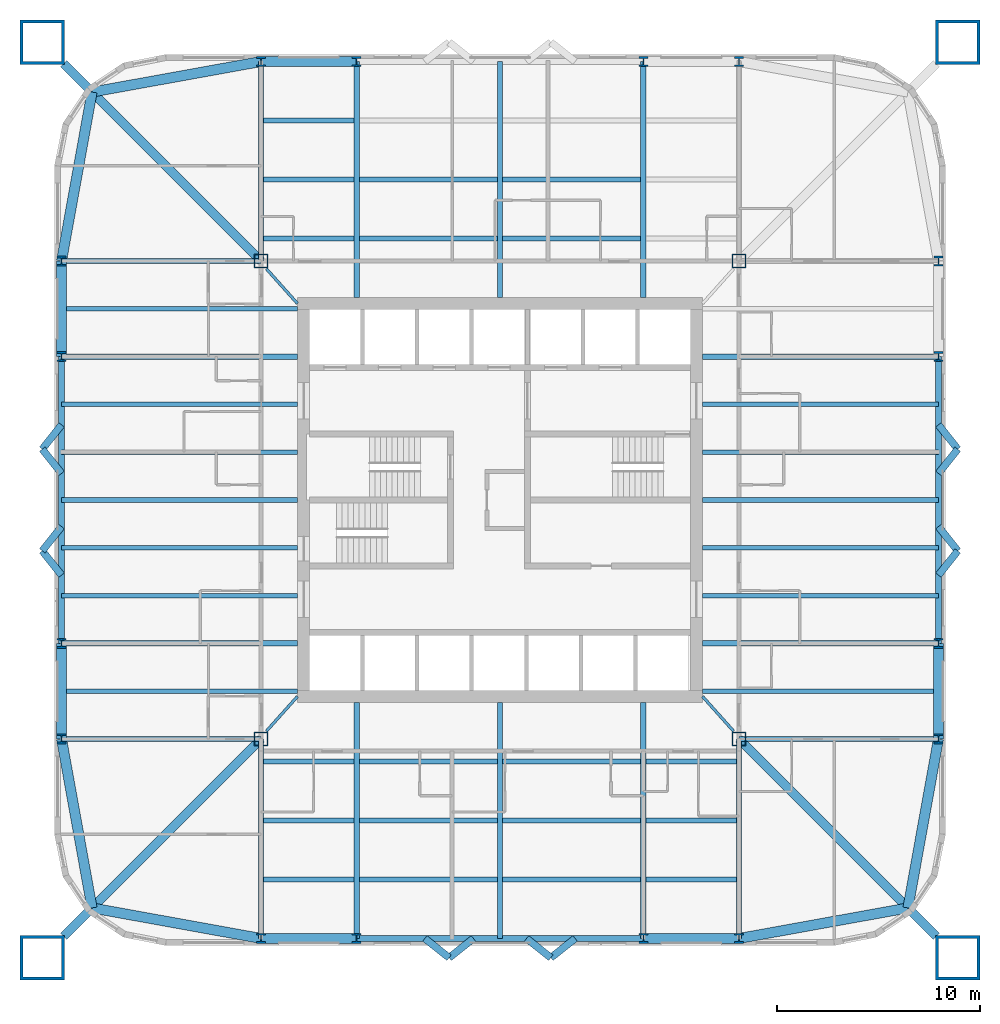
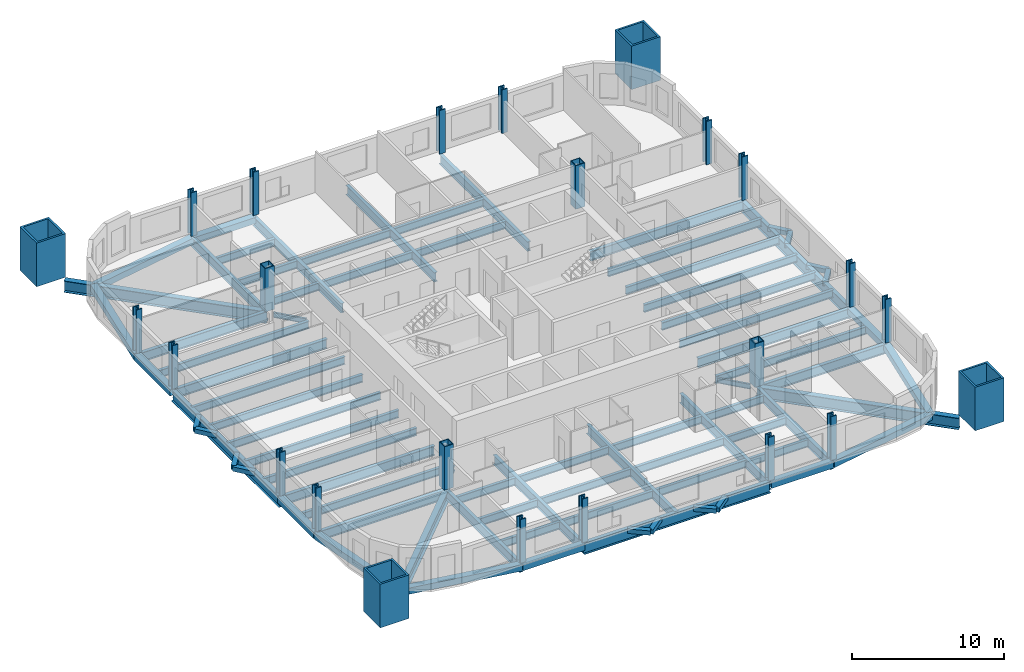
# One storey, part 1 of 10: 81 beams, 24 columns.
"""IFC4 building model written with IfcOpenShell, lengths in metres."""

import ifcopenshell
import ifcopenshell.guid

model = None  # the IFC model being written
_history = None  # IfcOwnerHistory: only IFC2X3 demands one
_inside = {}  # id of a spatial element -> (the spatial element, [elements in it])
_under = {}  # id of a project, library or spatial element -> (it, [spatial elements below it])
_declared = {}  # id of a project -> (the project, [libraries it declares])
_typed = {}  # id of a type object -> (the type object, [elements of that type])
_made_of = {}  # id of a material, layer set ... -> (it, [elements and type objects made of it])


def new_model(schema):
    """Start an empty IFC model of exactly this schema.

    Asked for "IFC4X3", IfcOpenShell would pick the latest addendum, in which some entities
    have other attributes; the version numbers below select the first issue.
    IFC2X3 requires an IfcOwnerHistory on every rooted entity: one is made here for all.
    """
    global model, _history
    if schema == "IFC4X3":
        model = ifcopenshell.file(schema_version=(4, 3, 0, 0))
    else:
        model = ifcopenshell.file(schema=schema)
    _inside.clear()
    _under.clear()
    _declared.clear()
    _typed.clear()
    _made_of.clear()
    _history = None
    if model.schema == "IFC2X3":
        org = make("IfcOrganization", Name="unknown")
        user = make(
            "IfcPersonAndOrganization",
            ThePerson=make("IfcPerson", FamilyName="unknown"),
            TheOrganization=org,
        )
        app = make(
            "IfcApplication",
            ApplicationDeveloper=org,
            Version="unknown",
            ApplicationFullName="unknown",
            ApplicationIdentifier="unknown",
        )
        _history = make(
            "IfcOwnerHistory",
            OwningUser=user,
            OwningApplication=app,
            ChangeAction="ADDED",
            CreationDate=0,
        )
    return model


def make(cls, **values):
    """One entity of the class cls with the attributes given. An attribute that is None is left unset."""
    return model.create_entity(
        cls, **{name: value for name, value in values.items() if value is not None}
    )


def rooted(cls, **values):
    """An entity with a GlobalId (a new one), such as an element, a storey or a relation."""
    return make(cls, GlobalId=ifcopenshell.guid.new(), OwnerHistory=_history, **values)


def si_unit(unit_type, name, prefix=None):
    """IfcSIUnit, for example si_unit("LENGTHUNIT", "METRE", prefix="MILLI")."""
    return make("IfcSIUnit", UnitType=unit_type, Prefix=prefix, Name=name)


def assignment(units):
    """IfcUnitAssignment: the units of a project."""
    return None if units is None else make("IfcUnitAssignment", Units=units)


def point(xyz):
    """IfcCartesianPoint."""
    return None if xyz is None else make("IfcCartesianPoint", Coordinates=xyz)


def direction(xyz):
    """IfcDirection."""
    return None if xyz is None else make("IfcDirection", DirectionRatios=xyz)


def frame(location, z_axis=None, x_axis=None):
    """IfcAxis2Placement3D, a coordinate frame: its origin and axes. An axis left out is left unset."""
    return make(
        "IfcAxis2Placement3D",
        Location=point(location),
        Axis=direction(z_axis),
        RefDirection=direction(x_axis),
    )


def frame_2d(location, x_axis=None):
    """IfcAxis2Placement2D, a coordinate frame in the plane: its origin and x axis."""
    return make(
        "IfcAxis2Placement2D", Location=point(location), RefDirection=direction(x_axis)
    )


def origin():
    """The frame at (0, 0, 0) with its axes left unset."""
    return frame((0.0, 0.0, 0.0))


def origin_2d():
    """The frame at (0, 0) in the plane with its x axis left unset."""
    return frame_2d((0.0, 0.0))


def place(relative_to, where):
    """IfcLocalPlacement: puts the frame where relative to a parent placement (None: the world)."""
    return make(
        "IfcLocalPlacement", PlacementRelTo=relative_to, RelativePlacement=where
    )


def context(
    kind, dimensions, precision=None, world=None, true_north=None, identifier=None
):
    """IfcGeometricRepresentationContext, for example the 3D "Model" context."""
    return make(
        "IfcGeometricRepresentationContext",
        ContextIdentifier=identifier,
        ContextType=kind,
        CoordinateSpaceDimension=dimensions,
        Precision=precision,
        WorldCoordinateSystem=world,
        TrueNorth=true_north,
    )


def subcontext(parent, identifier, kind, view, scale=None):
    """IfcGeometricRepresentationSubContext, for example "Body" below "Model"."""
    return make(
        "IfcGeometricRepresentationSubContext",
        ContextIdentifier=identifier,
        ContextType=kind,
        ParentContext=parent,
        TargetScale=scale,
        TargetView=view,
    )


def project(units=None, contexts=None):
    """IfcProject with its units and contexts."""
    return rooted(
        "IfcProject",
        Name="project",
        RepresentationContexts=contexts,
        UnitsInContext=assignment(units),
    )


def spatial(cls, under=None, at=None, **own):
    """A site, building, storey or space (cls), placed at a placement, below another one or the project."""
    s = rooted(cls, ObjectPlacement=at, **own)
    if under is not None:
        _under.setdefault(under.id(), (under, []))[1].append(s)
    return s


def profile(cls, at=None, kind="AREA", **sizes):
    """A parametric profile (cls). Its sizes go by their IFC names, for example OverallWidth=200.0."""
    return make(cls, ProfileType=kind, Position=at, **sizes)


def hollow_rectangle(**sizes):
    """IfcRectangleHollowProfileDef."""
    return profile("IfcRectangleHollowProfileDef", **sizes)


def i_section(**sizes):
    """IfcIShapeProfileDef."""
    return profile("IfcIShapeProfileDef", **sizes)


def extrude(swept, where, along, depth):
    """IfcExtrudedAreaSolid: the profile swept, set in the frame where, extruded along a direction by depth."""
    return make(
        "IfcExtrudedAreaSolid",
        SweptArea=swept,
        Position=where,
        ExtrudedDirection=direction(along),
        Depth=depth,
    )


def shape(context_of_items, identifier, shape_type, items):
    """IfcShapeRepresentation: the items that make up one representation, for example the "Body"."""
    return make(
        "IfcShapeRepresentation",
        ContextOfItems=context_of_items,
        RepresentationIdentifier=identifier,
        RepresentationType=shape_type,
        Items=items,
    )


def material(Name=None, Category=None):
    """IfcMaterial."""
    return make("IfcMaterial", Name=Name, Category=Category)


def material_profile(
    of_material, cross_section, Name=None, Category=None, Priority=None
):
    """IfcMaterialProfile: a cross section and its material."""
    return make(
        "IfcMaterialProfile",
        Name=Name,
        Material=of_material,
        Profile=cross_section,
        Priority=Priority,
        Category=Category,
    )


def profile_set(profiles, Name=None, composite=None):
    """IfcMaterialProfileSet."""
    return make(
        "IfcMaterialProfileSet",
        Name=Name,
        MaterialProfiles=profiles,
        CompositeProfile=composite,
    )


def made_of(thing, what):
    """Note that an element or type object is made of a material, layer set ...; save() writes the relation."""
    if what is not None:
        _made_of.setdefault(what.id(), (what, []))[1].append(thing)
    return thing


def type_object(cls, material=None, **own):
    """A type object (cls), such as IfcWallType, which elements share."""
    return made_of(rooted(cls, **own), material)


def element(
    cls,
    number,
    at=None,
    inside=None,
    cuts=None,
    type_object=None,
    material=None,
    context=None,
    identifier="Body",
    shape_type=None,
    held_by="IfcProductDefinitionShape",
    body=None,
    shapes=None,
    **own,
):
    """One element of the class cls, such as IfcWall. Its Tag is "e" and its number.

    at: its placement. inside: the storey or other place that contains it. cuts: it is an
    opening in that element (IfcRelVoidsElement). A single representation is given by context,
    identifier, shape_type and body (its items); several are given by shapes. held_by: the class
    of the entity that holds the representations. save() writes the other relations.
    """
    e = rooted(cls, Tag="e%d" % number, ObjectPlacement=at, **own)
    if body is not None:
        shapes = [shape(context, identifier, shape_type, body)]
    if shapes is not None:
        e.Representation = make(held_by, Representations=shapes)
    if inside is not None:
        _inside.setdefault(inside.id(), (inside, []))[1].append(e)
    if cuts is not None:
        rooted(
            "IfcRelVoidsElement", RelatingBuildingElement=cuts, RelatedOpeningElement=e
        )
    if type_object is not None:
        _typed.setdefault(type_object.id(), (type_object, []))[1].append(e)
    return made_of(e, material)


def aggregate(whole, parts):
    """IfcRelAggregates: a whole, such as a stair, and the parts it consists of."""
    return rooted("IfcRelAggregates", RelatingObject=whole, RelatedObjects=parts)


def save(model, path):
    """Write the relations noted so far, then the file.

    IfcRelAggregates (storeys below a building ...), IfcRelContainedInSpatialStructure (elements
    in a storey), IfcRelDefinesByType, IfcRelAssociatesMaterial and IfcRelDeclares: one each for
    every whole, place, type object, material and project.
    """
    for whole, parts in _under.values():
        aggregate(whole, parts)
    for where, things in _inside.values():
        rooted(
            "IfcRelContainedInSpatialStructure",
            RelatedElements=things,
            RelatingStructure=where,
        )
    for kind, things in _typed.values():
        rooted("IfcRelDefinesByType", RelatedObjects=things, RelatingType=kind)
    for what, things in _made_of.values():
        rooted("IfcRelAssociatesMaterial", RelatedObjects=things, RelatingMaterial=what)
    for by, libraries in _declared.values():
        rooted("IfcRelDeclares", RelatingContext=by, RelatedDefinitions=libraries)
    model.write(path)


model = new_model("IFC4")

# Units and contexts
model_context = context("Model", 3, precision=1e-05, world=origin(), true_north=direction((0.0, 1.0)))
body_context = subcontext(model_context, "Body", "Model", "MODEL_VIEW")
ifc_project = project(units=[si_unit("LENGTHUNIT", "METRE"), si_unit("AREAUNIT", "SQUARE_METRE"), si_unit("VOLUMEUNIT", "CUBIC_METRE"), si_unit("PLANEANGLEUNIT", "RADIAN"), si_unit("MASSUNIT", "GRAM", prefix="KILO")], contexts=[model_context])

# Site, building, storey
site_placement = place(None, origin())
site = spatial("IfcSite", under=ifc_project, at=site_placement, CompositionType="ELEMENT")
building_placement = place(site_placement, origin())
building = spatial("IfcBuilding", under=site, at=building_placement, Name="Turquesa Mirador Hotel Tower", CompositionType="ELEMENT")
storey_placement = place(building_placement, frame((0.0, 0.0, 60.0)))
storey = spatial("IfcBuildingStorey", under=building, at=storey_placement, Name="L15", CompositionType="ELEMENT", Elevation=60.0)

# Columns
ifc_material_1 = material(Name="Steel ASTM A572 Grade 50", Category="steel")
ifc_material_profile_1 = material_profile(ifc_material_1, hollow_rectangle(XDim=0.699951171875, YDim=0.699951171875, WallThickness=0.06005859375, at=origin_2d()), Name="BOX700X700X60")
ifc_profile_set_1 = profile_set([ifc_material_profile_1], Name="Steel ASTM A572 Grade 50")
column_type_1 = type_object("IfcColumnType", Name="COLUMN BOX700X700X60", PredefinedType="COLUMN", material=ifc_profile_set_1)
for number, where, z_axis, x_axis, name in (
    (1, (43.199951171875, 33.199951171875, 0.0), (0.0, 0.0, 1.0), (1.0, 0.0, 0.0), "COL-L15-K--11.80--11.80"),
    (2, (43.199951171875, 56.800048828125, 0.0), (0.0, 0.0, 1.0), (1.0, 0.0, 0.0), "COL-L15-K--11.80-+11.80"),
    (3, (66.800048828125, 33.199951171875, 0.0), (0.0, 0.0, 1.0), (1.0, 0.0, 0.0), "COL-L15-K-+11.80--11.80"),
    (4, (66.800048828125, 56.800048828125, 0.0), (0.0, 0.0, 1.0), (1.0, 0.0, 0.0), "COL-L15-K-+11.80-+11.80"),
):
    element("IfcColumn", number, at=place(storey_placement, frame(where, z_axis=z_axis, x_axis=x_axis)), inside=storey, type_object=column_type_1, Name=name, PredefinedType="COLUMN", context=body_context, shape_type="SweptSolid", body=[
        extrude(hollow_rectangle(XDim=0.699951171875, YDim=0.699951171875, WallThickness=0.06005859375, at=origin_2d()), origin(), (0.0, 0.0, 1.0), 3.5),
    ])
ifc_material_2 = material(Name="Steel ASTM A992 Grade 50", Category="steel")
ifc_material_profile_2 = material_profile(ifc_material_2, i_section(OverallWidth=0.431884765625, OverallDepth=0.497802734375, WebThickness=0.0556640625, FlangeThickness=0.0888671875, at=origin_2d()), Name="W14X500")
ifc_profile_set_2 = profile_set([ifc_material_profile_2], Name="Steel ASTM A992 Grade 50")
column_type_2 = type_object("IfcColumnType", Name="COLUMN W14X500", PredefinedType="COLUMN", material=ifc_profile_set_2)
for number, where, z_axis, x_axis, name in (
    (5, (33.35009765625, 33.199951171875, 0.0), (0.0, 0.0, 1.0), (1.0, 0.0, 0.0), "COL-L15-P--21.65--11.80"),
    (6, (33.35009765625, 37.919921875, 0.0), (0.0, 0.0, 1.0), (1.0, 0.0, 0.0), "COL-L15-P--21.65--7.08"),
    (7, (33.35009765625, 52.080078125, 0.0), (0.0, 0.0, 1.0), (1.0, 0.0, 0.0), "COL-L15-P--21.65-+7.08"),
    (8, (33.35009765625, 56.800048828125, 0.0), (0.0, 0.0, 1.0), (1.0, 0.0, 0.0), "COL-L15-P--21.65-+11.80"),
    (9, (43.199951171875, 23.35009765625, 0.0), (0.0, 0.0, 1.0), (1.0, 0.0, 0.0), "COL-L15-P--11.80--21.65"),
    (10, (43.199951171875, 66.64990234375, 0.0), (0.0, 0.0, 1.0), (1.0, 0.0, 0.0), "COL-L15-P--11.80-+21.65"),
    (11, (47.919921875, 23.35009765625, 0.0), (0.0, 0.0, 1.0), (1.0, 0.0, 0.0), "COL-L15-P--7.08--21.65"),
    (12, (47.919921875, 66.64990234375, 0.0), (0.0, 0.0, 1.0), (1.0, 0.0, 0.0), "COL-L15-P--7.08-+21.65"),
    (13, (62.080078125, 23.35009765625, 0.0), (0.0, 0.0, 1.0), (1.0, 0.0, 0.0), "COL-L15-P-+7.08--21.65"),
    (14, (62.080078125, 66.64990234375, 0.0), (0.0, 0.0, 1.0), (1.0, 0.0, 0.0), "COL-L15-P-+7.08-+21.65"),
    (15, (66.800048828125, 23.35009765625, 0.0), (0.0, 0.0, 1.0), (1.0, 0.0, 0.0), "COL-L15-P-+11.80--21.65"),
    (16, (66.800048828125, 66.64990234375, 0.0), (0.0, 0.0, 1.0), (1.0, 0.0, 0.0), "COL-L15-P-+11.80-+21.65"),
    (17, (76.64990234375, 33.199951171875, 0.0), (0.0, 0.0, 1.0), (1.0, 0.0, 0.0), "COL-L15-P-+21.65--11.80"),
    (18, (76.64990234375, 37.919921875, 0.0), (0.0, 0.0, 1.0), (1.0, 0.0, 0.0), "COL-L15-P-+21.65--7.08"),
    (19, (76.64990234375, 52.080078125, 0.0), (0.0, 0.0, 1.0), (1.0, 0.0, 0.0), "COL-L15-P-+21.65-+7.08"),
    (20, (76.64990234375, 56.800048828125, 0.0), (0.0, 0.0, 1.0), (1.0, 0.0, 0.0), "COL-L15-P-+21.65-+11.80"),
):
    element("IfcColumn", number, at=place(storey_placement, frame(where, z_axis=z_axis, x_axis=x_axis)), inside=storey, type_object=column_type_2, Name=name, PredefinedType="COLUMN", context=body_context, shape_type="SweptSolid", body=[
        extrude(i_section(OverallWidth=0.431884765625, OverallDepth=0.497802734375, WebThickness=0.0556640625, FlangeThickness=0.0888671875, at=origin_2d()), origin(), (0.0, 0.0, 1.0), 3.5),
    ])
ifc_material_3 = material(Name="Steel ASTM A514 Grade Q", Category="steel")
ifc_material_profile_3 = material_profile(ifc_material_3, hollow_rectangle(XDim=2.199951171875, YDim=2.199951171875, WallThickness=0.14990234375, at=origin_2d()), Name="BOX2200X2200X150")
ifc_profile_set_3 = profile_set([ifc_material_profile_3], Name="Steel ASTM A514 Grade Q")
column_type_3 = type_object("IfcColumnType", Name="MEGA COLUMN BOX2200X2200X150", PredefinedType="COLUMN", material=ifc_profile_set_3)
for number, where, z_axis, x_axis, name in (
    (21, (77.60009765625, 67.60009765625, 0.0), (0.0, 0.0, 1.0), (1.0, 0.0, 0.0), "Mega column M1"),
    (22, (32.39990234375, 67.60009765625, 0.0), (0.0, 0.0, 1.0), (1.0, 0.0, 0.0), "Mega column M2"),
    (23, (32.39990234375, 22.39990234375, 0.0), (0.0, 0.0, 1.0), (1.0, 0.0, 0.0), "Mega column M3"),
    (24, (77.60009765625, 22.39990234375, 0.0), (0.0, 0.0, 1.0), (1.0, 0.0, 0.0), "Mega column M4"),
):
    element("IfcColumn", number, at=place(storey_placement, frame(where, z_axis=z_axis, x_axis=x_axis)), inside=storey, type_object=column_type_3, Name=name, PredefinedType="COLUMN", context=body_context, shape_type="SweptSolid", body=[
        extrude(hollow_rectangle(XDim=2.199951171875, YDim=2.199951171875, WallThickness=0.14990234375, at=origin_2d()), origin(), (0.0, 0.0, 1.0), 3.5),
    ])

# Beams
ifc_material_4 = material(Name="Steel ASTM A572 Grade 50", Category="steel")
ifc_material_profile_4 = material_profile(ifc_material_4, hollow_rectangle(XDim=0.5, YDim=0.5, WallThickness=0.01611328125, at=origin_2d()), Name="BOX500X500X16")
ifc_profile_set_4 = profile_set([ifc_material_profile_4], Name="Steel ASTM A572 Grade 50")
beam_type_1 = type_object("IfcBeamType", Name="BEAM BOX500X500X16", PredefinedType="BEAM", material=ifc_profile_set_4)
for number, where, z_axis, x_axis, name in (
    (25, (43.199951171875, 66.64990234375, -0.419921875), (1.0, 0.0, 0.0), (0.0, 1.0, 0.0), "EB-L15-N-L"),
    (26, (43.199951171875, 23.35009765625, -0.419921875), (1.0, 0.0, 0.0), (0.0, 1.0, 0.0), "EB-L15-S-L"),
    (27, (62.080078125, 23.35009765625, -0.419921875), (1.0, 0.0, 0.0), (0.0, 1.0, 0.0), "EB-L15-S-R"),
    (28, (76.64990234375, 33.199951171875, -0.419921875), (0.0, 1.0, 0.0), (-1.0, 0.0, 0.0), "EB-L15-E-L"),
    (29, (33.35009765625, 33.199951171875, -0.419921875), (0.0, 1.0, 0.0), (-1.0, 0.0, 0.0), "EB-L15-W-L"),
    (30, (33.35009765625, 52.080078125, -0.419921875), (0.0, 1.0, 0.0), (-1.0, 0.0, 0.0), "EB-L15-W-R"),
):
    element("IfcBeam", number, at=place(storey_placement, frame(where, z_axis=z_axis, x_axis=x_axis)), inside=storey, type_object=beam_type_1, Name=name, PredefinedType="BEAM", context=body_context, shape_type="SweptSolid", body=[
        extrude(hollow_rectangle(XDim=0.5, YDim=0.5, WallThickness=0.01611328125, at=origin_2d()), origin(), (0.0, 0.0, 1.0), 4.719970703125),
    ])
for number, where, z_axis, x_axis, name in (
    (31, (33.35009765625, 56.800048828125, -0.419921875), (0.177932387818, 0.984042715214, 0.0), (-0.984042715214, 0.177932387818, 0.0), "KE-L15-2-0"),
    (32, (34.8583984375, 65.1416015625, -0.419921875), (0.984042715214, 0.177932387818, 0.0), (-0.177932387818, 0.984042715214, 0.0), "KE-L15-2-1"),
    (33, (33.35009765625, 33.199951171875, -0.419921875), (0.177932387818, -0.984042715214, 0.0), (0.984042715214, 0.177932387818, 0.0), "KE-L15-3-0"),
    (34, (34.8583984375, 24.8583984375, -0.419921875), (0.984042715214, -0.177932387818, 0.0), (0.177932387818, 0.984042715214, 0.0), "KE-L15-3-1"),
    (35, (76.64990234375, 33.199951171875, -0.419921875), (-0.177932387818, -0.984042715214, 0.0), (0.984042715214, -0.177932387818, 0.0), "KE-L15-4-0"),
    (36, (75.1416015625, 24.8583984375, -0.419921875), (-0.984042715214, -0.177932387818, 0.0), (0.177932387818, -0.984042715214, 0.0), "KE-L15-4-1"),
):
    element("IfcBeam", number, at=place(storey_placement, frame(where, z_axis=z_axis, x_axis=x_axis)), inside=storey, type_object=beam_type_1, Name=name, PredefinedType="BEAM", context=body_context, shape_type="SweptSolid", body=[
        extrude(hollow_rectangle(XDim=0.5, YDim=0.5, WallThickness=0.01611328125, at=origin_2d()), origin(), (0.0, 0.0, 1.0), 8.476806640625),
    ])
ifc_material_5 = material(Name="Steel ASTM A992 Grade 50", Category="steel")
ifc_material_profile_5 = material_profile(ifc_material_5, i_section(OverallWidth=0.140380859375, OverallDepth=0.40380859375, WebThickness=0.007080078125, FlangeThickness=0.01123046875, at=origin_2d()), Name="W16X31")
ifc_profile_set_5 = profile_set([ifc_material_profile_5], Name="Steel ASTM A992 Grade 50")
beam_type_2 = type_object("IfcBeamType", Name="BEAM W16X31", PredefinedType="BEAM", material=ifc_profile_set_5)
for number, where, z_axis, x_axis, name in (
    (37, (43.470458984375, 56.40966796875, -0.371826171875), (0.666745084392, -0.745285846129, 0.0), (0.745285846129, 0.666745084392, 0.0), "KT-L15-2"),
    (38, (43.470458984375, 33.59033203125, -0.371826171875), (0.666745084392, 0.745285846129, 0.0), (-0.745285846129, 0.666745084392, 0.0), "KT-L15-3"),
    (39, (66.529541015625, 33.59033203125, -0.371826171875), (-0.666745084392, 0.745285846129, 0.0), (-0.745285846129, -0.666745084392, 0.0), "KT-L15-4"),
):
    element("IfcBeam", number, at=place(storey_placement, frame(where, z_axis=z_axis, x_axis=x_axis)), inside=storey, type_object=beam_type_2, Name=name, PredefinedType="BEAM", context=body_context, shape_type="SweptSolid", body=[
        extrude(i_section(OverallWidth=0.140380859375, OverallDepth=0.40380859375, WebThickness=0.007080078125, FlangeThickness=0.01123046875, at=origin_2d()), origin(), (0.0, 0.0, 1.0), 2.2939453125),
    ])
ifc_material_6 = material(Name="Steel ASTM A992 Grade 50", Category="steel")
ifc_material_profile_6 = material_profile(ifc_material_6, i_section(OverallWidth=0.228271484375, OverallDepth=0.607177734375, WebThickness=0.01123046875, FlangeThickness=0.017333984375, at=origin_2d()), Name="W24X76")
ifc_profile_set_6 = profile_set([ifc_material_profile_6], Name="Steel ASTM A992 Grade 50")
beam_type_3 = type_object("IfcBeamType", Name="BEAM W24X76", PredefinedType="BEAM", material=ifc_profile_set_6)
beam_1_placement = place(storey_placement, frame((43.333251953125, 57.912109375, -0.4736328125), z_axis=(1.0, 0.0, 0.0), x_axis=(0.0, 1.0, 0.0)))
element("IfcBeam", 40, at=beam_1_placement, inside=storey, type_object=beam_type_3, Name="IB-L15-N-1-0", PredefinedType="BEAM", context=body_context, shape_type="SweptSolid", body=[
    extrude(i_section(OverallWidth=0.228271484375, OverallDepth=0.607177734375, WebThickness=0.01123046875, FlangeThickness=0.017333984375, at=origin_2d()), origin(), (0.0, 0.0, 1.0), 4.453369140625),
])
for number, where, z_axis, x_axis, name in (
    (41, (48.053466796875, 57.912109375, -0.4736328125), (1.0, 0.0, 0.0), (0.0, 1.0, 0.0), "IB-L15-N-1-1"),
    (42, (55.13330078125, 57.912109375, -0.4736328125), (1.0, 0.0, 0.0), (0.0, 1.0, 0.0), "IB-L15-N-1-2"),
):
    element("IfcBeam", number, at=place(storey_placement, frame(where, z_axis=z_axis, x_axis=x_axis)), inside=storey, type_object=beam_type_3, Name=name, PredefinedType="BEAM", context=body_context, shape_type="SweptSolid", body=[
        extrude(i_section(OverallWidth=0.228271484375, OverallDepth=0.607177734375, WebThickness=0.01123046875, FlangeThickness=0.017333984375, at=origin_2d()), origin(), (0.0, 0.0, 1.0), 6.813232421875),
    ])
beam_2_placement = place(storey_placement, frame((43.333251953125, 60.824951171875, -0.4736328125), z_axis=(1.0, 0.0, 0.0), x_axis=(0.0, 1.0, 0.0)))
element("IfcBeam", 43, at=beam_2_placement, inside=storey, type_object=beam_type_3, Name="IB-L15-N-2-0", PredefinedType="BEAM", context=body_context, shape_type="SweptSolid", body=[
    extrude(i_section(OverallWidth=0.228271484375, OverallDepth=0.607177734375, WebThickness=0.01123046875, FlangeThickness=0.017333984375, at=origin_2d()), origin(), (0.0, 0.0, 1.0), 4.453369140625),
])
for number, where, z_axis, x_axis, name in (
    (44, (48.053466796875, 60.824951171875, -0.4736328125), (1.0, 0.0, 0.0), (0.0, 1.0, 0.0), "IB-L15-N-2-1"),
    (45, (55.13330078125, 60.824951171875, -0.4736328125), (1.0, 0.0, 0.0), (0.0, 1.0, 0.0), "IB-L15-N-2-2"),
):
    element("IfcBeam", number, at=place(storey_placement, frame(where, z_axis=z_axis, x_axis=x_axis)), inside=storey, type_object=beam_type_3, Name=name, PredefinedType="BEAM", context=body_context, shape_type="SweptSolid", body=[
        extrude(i_section(OverallWidth=0.228271484375, OverallDepth=0.607177734375, WebThickness=0.01123046875, FlangeThickness=0.017333984375, at=origin_2d()), origin(), (0.0, 0.0, 1.0), 6.813232421875),
    ])
for number, where, z_axis, x_axis, name in (
    (46, (43.333251953125, 63.737060546875, -0.4736328125), (1.0, 0.0, 0.0), (0.0, 1.0, 0.0), "IB-L15-N-3-0"),
    (47, (43.333251953125, 32.087890625, -0.4736328125), (1.0, 0.0, 0.0), (0.0, 1.0, 0.0), "IB-L15-S-1-0"),
):
    element("IfcBeam", number, at=place(storey_placement, frame(where, z_axis=z_axis, x_axis=x_axis)), inside=storey, type_object=beam_type_3, Name=name, PredefinedType="BEAM", context=body_context, shape_type="SweptSolid", body=[
        extrude(i_section(OverallWidth=0.228271484375, OverallDepth=0.607177734375, WebThickness=0.01123046875, FlangeThickness=0.017333984375, at=origin_2d()), origin(), (0.0, 0.0, 1.0), 4.453369140625),
    ])
for number, where, z_axis, x_axis, name in (
    (48, (48.053466796875, 32.087890625, -0.4736328125), (1.0, 0.0, 0.0), (0.0, 1.0, 0.0), "IB-L15-S-1-1"),
    (49, (55.13330078125, 32.087890625, -0.4736328125), (1.0, 0.0, 0.0), (0.0, 1.0, 0.0), "IB-L15-S-1-2"),
):
    element("IfcBeam", number, at=place(storey_placement, frame(where, z_axis=z_axis, x_axis=x_axis)), inside=storey, type_object=beam_type_3, Name=name, PredefinedType="BEAM", context=body_context, shape_type="SweptSolid", body=[
        extrude(i_section(OverallWidth=0.228271484375, OverallDepth=0.607177734375, WebThickness=0.01123046875, FlangeThickness=0.017333984375, at=origin_2d()), origin(), (0.0, 0.0, 1.0), 6.813232421875),
    ])
for number, where, z_axis, x_axis, name in (
    (50, (62.21337890625, 32.087890625, -0.4736328125), (1.0, 0.0, 0.0), (0.0, 1.0, 0.0), "IB-L15-S-1-3"),
    (51, (43.333251953125, 29.175048828125, -0.4736328125), (1.0, 0.0, 0.0), (0.0, 1.0, 0.0), "IB-L15-S-2-0"),
):
    element("IfcBeam", number, at=place(storey_placement, frame(where, z_axis=z_axis, x_axis=x_axis)), inside=storey, type_object=beam_type_3, Name=name, PredefinedType="BEAM", context=body_context, shape_type="SweptSolid", body=[
        extrude(i_section(OverallWidth=0.228271484375, OverallDepth=0.607177734375, WebThickness=0.01123046875, FlangeThickness=0.017333984375, at=origin_2d()), origin(), (0.0, 0.0, 1.0), 4.453369140625),
    ])
for number, where, z_axis, x_axis, name in (
    (52, (48.053466796875, 29.175048828125, -0.4736328125), (1.0, 0.0, 0.0), (0.0, 1.0, 0.0), "IB-L15-S-2-1"),
    (53, (55.13330078125, 29.175048828125, -0.4736328125), (1.0, 0.0, 0.0), (0.0, 1.0, 0.0), "IB-L15-S-2-2"),
):
    element("IfcBeam", number, at=place(storey_placement, frame(where, z_axis=z_axis, x_axis=x_axis)), inside=storey, type_object=beam_type_3, Name=name, PredefinedType="BEAM", context=body_context, shape_type="SweptSolid", body=[
        extrude(i_section(OverallWidth=0.228271484375, OverallDepth=0.607177734375, WebThickness=0.01123046875, FlangeThickness=0.017333984375, at=origin_2d()), origin(), (0.0, 0.0, 1.0), 6.813232421875),
    ])
for number, where, z_axis, x_axis, name in (
    (54, (62.21337890625, 29.175048828125, -0.4736328125), (1.0, 0.0, 0.0), (0.0, 1.0, 0.0), "IB-L15-S-2-3"),
    (55, (43.333251953125, 26.262939453125, -0.4736328125), (1.0, 0.0, 0.0), (0.0, 1.0, 0.0), "IB-L15-S-3-0"),
):
    element("IfcBeam", number, at=place(storey_placement, frame(where, z_axis=z_axis, x_axis=x_axis)), inside=storey, type_object=beam_type_3, Name=name, PredefinedType="BEAM", context=body_context, shape_type="SweptSolid", body=[
        extrude(i_section(OverallWidth=0.228271484375, OverallDepth=0.607177734375, WebThickness=0.01123046875, FlangeThickness=0.017333984375, at=origin_2d()), origin(), (0.0, 0.0, 1.0), 4.453369140625),
    ])
for number, where, z_axis, x_axis, name in (
    (56, (48.053466796875, 26.262939453125, -0.4736328125), (1.0, 0.0, 0.0), (0.0, 1.0, 0.0), "IB-L15-S-3-1"),
    (57, (55.13330078125, 26.262939453125, -0.4736328125), (1.0, 0.0, 0.0), (0.0, 1.0, 0.0), "IB-L15-S-3-2"),
):
    element("IfcBeam", number, at=place(storey_placement, frame(where, z_axis=z_axis, x_axis=x_axis)), inside=storey, type_object=beam_type_3, Name=name, PredefinedType="BEAM", context=body_context, shape_type="SweptSolid", body=[
        extrude(i_section(OverallWidth=0.228271484375, OverallDepth=0.607177734375, WebThickness=0.01123046875, FlangeThickness=0.017333984375, at=origin_2d()), origin(), (0.0, 0.0, 1.0), 6.813232421875),
    ])
beam_3_placement = place(storey_placement, frame((62.21337890625, 26.262939453125, -0.4736328125), z_axis=(1.0, 0.0, 0.0), x_axis=(0.0, 1.0, 0.0)))
element("IfcBeam", 58, at=beam_3_placement, inside=storey, type_object=beam_type_3, Name="IB-L15-S-3-3", PredefinedType="BEAM", context=body_context, shape_type="SweptSolid", body=[
    extrude(i_section(OverallWidth=0.228271484375, OverallDepth=0.607177734375, WebThickness=0.01123046875, FlangeThickness=0.017333984375, at=origin_2d()), origin(), (0.0, 0.0, 1.0), 4.453369140625),
])
for number, where, z_axis, x_axis, name in (
    (59, (76.64990234375, 35.56005859375, -0.4736328125), (-1.0, 0.0, 0.0), (0.0, -1.0, 0.0), "BM-L15-E--9.44"),
    (60, (76.64990234375, 40.280029296875, -0.4736328125), (-1.0, 0.0, 0.0), (0.0, -1.0, 0.0), "BM-L15-E--4.72"),
    (61, (76.64990234375, 42.639892578125, -0.4736328125), (-1.0, 0.0, 0.0), (0.0, -1.0, 0.0), "BM-L15-E--2.36"),
    (62, (76.64990234375, 45.0, -0.4736328125), (-1.0, 0.0, 0.0), (0.0, -1.0, 0.0), "BM-L15-E-+0.00"),
    (63, (76.64990234375, 47.360107421875, -0.4736328125), (-1.0, 0.0, 0.0), (0.0, -1.0, 0.0), "BM-L15-E-+2.36"),
    (64, (76.64990234375, 49.719970703125, -0.4736328125), (-1.0, 0.0, 0.0), (0.0, -1.0, 0.0), "BM-L15-E-+4.72"),
    (65, (33.35009765625, 35.56005859375, -0.4736328125), (1.0, 0.0, 0.0), (0.0, 1.0, 0.0), "BM-L15-W--9.44"),
    (66, (33.35009765625, 40.280029296875, -0.4736328125), (1.0, 0.0, 0.0), (0.0, 1.0, 0.0), "BM-L15-W--4.72"),
    (67, (33.35009765625, 42.639892578125, -0.4736328125), (1.0, 0.0, 0.0), (0.0, 1.0, 0.0), "BM-L15-W--2.36"),
    (68, (33.35009765625, 45.0, -0.4736328125), (1.0, 0.0, 0.0), (0.0, 1.0, 0.0), "BM-L15-W-+0.00"),
    (69, (33.35009765625, 47.360107421875, -0.4736328125), (1.0, 0.0, 0.0), (0.0, 1.0, 0.0), "BM-L15-W-+2.36"),
    (70, (33.35009765625, 49.719970703125, -0.4736328125), (1.0, 0.0, 0.0), (0.0, 1.0, 0.0), "BM-L15-W-+4.72"),
    (71, (33.35009765625, 54.43994140625, -0.4736328125), (1.0, 0.0, 0.0), (0.0, 1.0, 0.0), "BM-L15-W-+9.44"),
):
    element("IfcBeam", number, at=place(storey_placement, frame(where, z_axis=z_axis, x_axis=x_axis)), inside=storey, type_object=beam_type_3, Name=name, PredefinedType="BEAM", context=body_context, shape_type="SweptSolid", body=[
        extrude(i_section(OverallWidth=0.228271484375, OverallDepth=0.607177734375, WebThickness=0.01123046875, FlangeThickness=0.017333984375, at=origin_2d()), origin(), (0.0, 0.0, 1.0), 11.64990234375),
    ])
ifc_material_7 = material(Name="Steel ASTM A992 Grade 50", Category="steel")
ifc_material_profile_7 = material_profile(ifc_material_7, i_section(OverallWidth=0.2666015625, OverallDepth=0.7568359375, WebThickness=0.013916015625, FlangeThickness=0.019287109375, at=origin_2d()), Name="W30X108")
ifc_profile_set_7 = profile_set([ifc_material_profile_7], Name="Steel ASTM A992 Grade 50")
beam_type_4 = type_object("IfcBeamType", Name="BEAM W30X108", PredefinedType="BEAM", material=ifc_profile_set_7)
for number, where, z_axis, x_axis, name in (
    (72, (47.919921875, 66.64990234375, -0.54833984375), (0.0, -1.0, 0.0), (1.0, 0.0, 0.0), "GD-L15-N--7.08"),
    (73, (62.080078125, 66.64990234375, -0.54833984375), (0.0, -1.0, 0.0), (1.0, 0.0, 0.0), "GD-L15-N-+7.08"),
    (74, (55.0, 66.64990234375, -0.54833984375), (0.0, -1.0, 0.0), (1.0, 0.0, 0.0), "GD-L15-N-+0.00"),
):
    element("IfcBeam", number, at=place(storey_placement, frame(where, z_axis=z_axis, x_axis=x_axis)), inside=storey, type_object=beam_type_4, Name=name, PredefinedType="BEAM", context=body_context, shape_type="SweptSolid", body=[
        extrude(i_section(OverallWidth=0.2666015625, OverallDepth=0.7568359375, WebThickness=0.013916015625, FlangeThickness=0.019287109375, at=origin_2d()), origin(), (0.0, 0.0, 1.0), 11.64990234375),
    ])
beam_4_placement = place(storey_placement, frame((43.199951171875, 66.64990234375, -0.54833984375), z_axis=(0.0, -1.0, 0.0), x_axis=(1.0, 0.0, 0.0)))
element("IfcBeam", 75, at=beam_4_placement, inside=storey, type_object=beam_type_4, Name="GK-L15-N--11.80", PredefinedType="BEAM", context=body_context, shape_type="SweptSolid", body=[
    extrude(i_section(OverallWidth=0.2666015625, OverallDepth=0.7568359375, WebThickness=0.013916015625, FlangeThickness=0.019287109375, at=origin_2d()), origin(), (0.0, 0.0, 1.0), 9.849853515625),
])
for number, where, z_axis, x_axis, name in (
    (76, (47.919921875, 23.35009765625, -0.54833984375), (0.0, 1.0, 0.0), (-1.0, 0.0, 0.0), "GD-L15-S--7.08"),
    (77, (62.080078125, 23.35009765625, -0.54833984375), (0.0, 1.0, 0.0), (-1.0, 0.0, 0.0), "GD-L15-S-+7.08"),
    (78, (55.0, 23.35009765625, -0.54833984375), (0.0, 1.0, 0.0), (-1.0, 0.0, 0.0), "GD-L15-S-+0.00"),
):
    element("IfcBeam", number, at=place(storey_placement, frame(where, z_axis=z_axis, x_axis=x_axis)), inside=storey, type_object=beam_type_4, Name=name, PredefinedType="BEAM", context=body_context, shape_type="SweptSolid", body=[
        extrude(i_section(OverallWidth=0.2666015625, OverallDepth=0.7568359375, WebThickness=0.013916015625, FlangeThickness=0.019287109375, at=origin_2d()), origin(), (0.0, 0.0, 1.0), 11.64990234375),
    ])
for number, where, z_axis, x_axis, name in (
    (79, (43.199951171875, 23.35009765625, -0.54833984375), (0.0, 1.0, 0.0), (-1.0, 0.0, 0.0), "GK-L15-S--11.80"),
    (80, (66.800048828125, 23.35009765625, -0.54833984375), (0.0, 1.0, 0.0), (-1.0, 0.0, 0.0), "GK-L15-S-+11.80"),
):
    element("IfcBeam", number, at=place(storey_placement, frame(where, z_axis=z_axis, x_axis=x_axis)), inside=storey, type_object=beam_type_4, Name=name, PredefinedType="BEAM", context=body_context, shape_type="SweptSolid", body=[
        extrude(i_section(OverallWidth=0.2666015625, OverallDepth=0.7568359375, WebThickness=0.013916015625, FlangeThickness=0.019287109375, at=origin_2d()), origin(), (0.0, 0.0, 1.0), 9.849853515625),
    ])
for number, where, z_axis, x_axis, name in (
    (81, (76.64990234375, 37.919921875, -0.54833984375), (-1.0, 0.0, 0.0), (0.0, -1.0, 0.0), "GD-L15-E--7.08"),
    (82, (76.64990234375, 52.080078125, -0.54833984375), (-1.0, 0.0, 0.0), (0.0, -1.0, 0.0), "GD-L15-E-+7.08"),
):
    element("IfcBeam", number, at=place(storey_placement, frame(where, z_axis=z_axis, x_axis=x_axis)), inside=storey, type_object=beam_type_4, Name=name, PredefinedType="BEAM", context=body_context, shape_type="SweptSolid", body=[
        extrude(i_section(OverallWidth=0.2666015625, OverallDepth=0.7568359375, WebThickness=0.013916015625, FlangeThickness=0.019287109375, at=origin_2d()), origin(), (0.0, 0.0, 1.0), 11.64990234375),
    ])
beam_5_placement = place(storey_placement, frame((76.64990234375, 33.199951171875, -0.54833984375), z_axis=(-1.0, 0.0, 0.0), x_axis=(0.0, -1.0, 0.0)))
element("IfcBeam", 83, at=beam_5_placement, inside=storey, type_object=beam_type_4, Name="GK-L15-E--11.80", PredefinedType="BEAM", context=body_context, shape_type="SweptSolid", body=[
    extrude(i_section(OverallWidth=0.2666015625, OverallDepth=0.7568359375, WebThickness=0.013916015625, FlangeThickness=0.019287109375, at=origin_2d()), origin(), (0.0, 0.0, 1.0), 9.849853515625),
])
for number, where, z_axis, x_axis, name in (
    (84, (33.35009765625, 37.919921875, -0.54833984375), (1.0, 0.0, 0.0), (0.0, 1.0, 0.0), "GD-L15-W--7.08"),
    (85, (33.35009765625, 52.080078125, -0.54833984375), (1.0, 0.0, 0.0), (0.0, 1.0, 0.0), "GD-L15-W-+7.08"),
):
    element("IfcBeam", number, at=place(storey_placement, frame(where, z_axis=z_axis, x_axis=x_axis)), inside=storey, type_object=beam_type_4, Name=name, PredefinedType="BEAM", context=body_context, shape_type="SweptSolid", body=[
        extrude(i_section(OverallWidth=0.2666015625, OverallDepth=0.7568359375, WebThickness=0.013916015625, FlangeThickness=0.019287109375, at=origin_2d()), origin(), (0.0, 0.0, 1.0), 11.64990234375),
    ])
for number, where, z_axis, x_axis, name in (
    (86, (33.35009765625, 33.199951171875, -0.54833984375), (1.0, 0.0, 0.0), (0.0, 1.0, 0.0), "GK-L15-W--11.80"),
    (87, (33.35009765625, 56.800048828125, -0.54833984375), (1.0, 0.0, 0.0), (0.0, 1.0, 0.0), "GK-L15-W-+11.80"),
):
    element("IfcBeam", number, at=place(storey_placement, frame(where, z_axis=z_axis, x_axis=x_axis)), inside=storey, type_object=beam_type_4, Name=name, PredefinedType="BEAM", context=body_context, shape_type="SweptSolid", body=[
        extrude(i_section(OverallWidth=0.2666015625, OverallDepth=0.7568359375, WebThickness=0.013916015625, FlangeThickness=0.019287109375, at=origin_2d()), origin(), (0.0, 0.0, 1.0), 9.849853515625),
    ])
ifc_material_8 = material(Name="Steel ASTM A992 Grade 50", Category="steel")
ifc_material_profile_8 = material_profile(ifc_material_8, i_section(OverallWidth=0.3046875, OverallDepth=0.911865234375, WebThickness=0.015869140625, FlangeThickness=0.02392578125, at=origin_2d()), Name="W36X150")
ifc_profile_set_8 = profile_set([ifc_material_profile_8], Name="Steel ASTM A992 Grade 50")
beam_type_5 = type_object("IfcBeamType", Name="BEAM W36X150", PredefinedType="BEAM", material=ifc_profile_set_8)
for number, where, z_axis, x_axis, name in (
    (88, (47.919921875, 23.35009765625, -0.6259765625), (1.0, 0.0, 0.0), (0.0, 1.0, 0.0), "EB-L15-S-C"),
    (89, (76.64990234375, 37.919921875, -0.6259765625), (0.0, 1.0, 0.0), (-1.0, 0.0, 0.0), "EB-L15-E-C"),
    (90, (33.35009765625, 37.919921875, -0.6259765625), (0.0, 1.0, 0.0), (-1.0, 0.0, 0.0), "EB-L15-W-C"),
):
    element("IfcBeam", number, at=place(storey_placement, frame(where, z_axis=z_axis, x_axis=x_axis)), inside=storey, type_object=beam_type_5, Name=name, PredefinedType="BEAM", context=body_context, shape_type="SweptSolid", body=[
        extrude(i_section(OverallWidth=0.3046875, OverallDepth=0.911865234375, WebThickness=0.015869140625, FlangeThickness=0.02392578125, at=origin_2d()), origin(), (0.0, 0.0, 1.0), 14.16015625),
    ])
ifc_material_9 = material(Name="Steel ASTM A992 Grade 50", Category="steel")
ifc_material_profile_9 = material_profile(ifc_material_9, i_section(OverallWidth=0.419189453125, OverallDepth=0.927001953125, WebThickness=0.019287109375, FlangeThickness=0.031982421875, at=origin_2d()), Name="W36X231")
ifc_profile_set_9 = profile_set([ifc_material_profile_9], Name="Steel ASTM A992 Grade 50")
beam_type_6 = type_object("IfcBeamType", Name="BEAM W36X231", PredefinedType="BEAM", material=ifc_profile_set_9)
for number, where, z_axis, x_axis, name in (
    (91, (43.199951171875, 56.800048828125, -0.633544921875), (-0.707106781187, 0.707106781187, 0.0), (-0.707106781187, -0.707106781187, 0.0), "KD-L15-2"),
    (92, (43.199951171875, 33.199951171875, -0.633544921875), (-0.707106781187, -0.707106781187, 0.0), (0.707106781187, -0.707106781187, 0.0), "KD-L15-3"),
    (93, (66.800048828125, 33.199951171875, -0.633544921875), (0.707106781187, -0.707106781187, 0.0), (0.707106781187, 0.707106781187, 0.0), "KD-L15-4"),
):
    element("IfcBeam", number, at=place(storey_placement, frame(where, z_axis=z_axis, x_axis=x_axis)), inside=storey, type_object=beam_type_6, Name=name, PredefinedType="BEAM", context=body_context, shape_type="SweptSolid", body=[
        extrude(i_section(OverallWidth=0.419189453125, OverallDepth=0.927001953125, WebThickness=0.019287109375, FlangeThickness=0.031982421875, at=origin_2d()), origin(), (0.0, 0.0, 1.0), 13.78857421875),
    ])
ifc_material_10 = material(Name="Steel ASTM A500 Grade C", Category="steel")
ifc_material_profile_10 = material_profile(ifc_material_10, hollow_rectangle(XDim=0.355712890625, YDim=0.355712890625, WallThickness=0.0146484375, at=origin_2d()), Name="HSS14X14X5/8")
ifc_profile_set_10 = profile_set([ifc_material_profile_10], Name="Steel ASTM A500 Grade C")
beam_type_7 = type_object("IfcBeamType", Name="BRACE STRUT HSS14X14X5/8", PredefinedType="BEAM", material=ifc_profile_set_10)
beam_6_placement = place(storey_placement, frame((57.51123046875, 22.39990234375, -0.347900390625), z_axis=(-0.784032888399, 0.620719284306, 0.0), x_axis=(-0.620719284306, -0.784032888399, 0.0)))
element("IfcBeam", 94, at=beam_6_placement, inside=storey, type_object=beam_type_7, Name="Brace strut", PredefinedType="BEAM", context=body_context, shape_type="SweptSolid", body=[
    extrude(hollow_rectangle(XDim=0.355712890625, YDim=0.355712890625, WallThickness=0.0146484375, at=origin_2d()), origin(), (0.0, 0.0, 1.0), 1.53076171875),
])
for number, where, z_axis, x_axis, name in (
    (95, (57.51123046875, 22.39990234375, -0.347900390625), (0.783971428146, 0.620796907089, 0.0), (-0.620796907089, 0.783971428146, 0.0), "Brace strut"),
    (96, (52.48876953125, 22.39990234375, -0.347900390625), (-0.783971428146, 0.620796907089, 0.0), (-0.620796907089, -0.783971428146, 0.0), "Brace strut"),
):
    element("IfcBeam", number, at=place(storey_placement, frame(where, z_axis=z_axis, x_axis=x_axis)), inside=storey, type_object=beam_type_7, Name=name, PredefinedType="BEAM", context=body_context, shape_type="SweptSolid", body=[
        extrude(hollow_rectangle(XDim=0.355712890625, YDim=0.355712890625, WallThickness=0.0146484375, at=origin_2d()), origin(), (0.0, 0.0, 1.0), 1.530517578125),
    ])
for number, where, z_axis, x_axis, name in (
    (97, (52.48876953125, 22.39990234375, -0.347900390625), (0.784032888399, 0.620719284306, 0.0), (-0.620719284306, 0.784032888399, 0.0), "Brace strut"),
    (98, (77.60009765625, 47.51123046875, -0.347900390625), (-0.620719284306, -0.784032888399, 0.0), (0.784032888399, -0.620719284306, 0.0), "Brace strut"),
):
    element("IfcBeam", number, at=place(storey_placement, frame(where, z_axis=z_axis, x_axis=x_axis)), inside=storey, type_object=beam_type_7, Name=name, PredefinedType="BEAM", context=body_context, shape_type="SweptSolid", body=[
        extrude(hollow_rectangle(XDim=0.355712890625, YDim=0.355712890625, WallThickness=0.0146484375, at=origin_2d()), origin(), (0.0, 0.0, 1.0), 1.53076171875),
    ])
for number, where, z_axis, x_axis, name in (
    (99, (77.60009765625, 47.51123046875, -0.347900390625), (-0.620796907089, 0.783971428146, 0.0), (-0.783971428146, -0.620796907089, 0.0), "Brace strut"),
    (100, (77.60009765625, 42.48876953125, -0.347900390625), (-0.620796907089, -0.783971428146, 0.0), (0.783971428146, -0.620796907089, 0.0), "Brace strut"),
):
    element("IfcBeam", number, at=place(storey_placement, frame(where, z_axis=z_axis, x_axis=x_axis)), inside=storey, type_object=beam_type_7, Name=name, PredefinedType="BEAM", context=body_context, shape_type="SweptSolid", body=[
        extrude(hollow_rectangle(XDim=0.355712890625, YDim=0.355712890625, WallThickness=0.0146484375, at=origin_2d()), origin(), (0.0, 0.0, 1.0), 1.530517578125),
    ])
for number, where, z_axis, x_axis, name in (
    (101, (77.60009765625, 42.48876953125, -0.347900390625), (-0.620719284306, 0.784032888399, 0.0), (-0.784032888399, -0.620719284306, 0.0), "Brace strut"),
    (102, (32.39990234375, 47.51123046875, -0.347900390625), (0.620719284306, -0.784032888399, 0.0), (0.784032888399, 0.620719284306, 0.0), "Brace strut"),
):
    element("IfcBeam", number, at=place(storey_placement, frame(where, z_axis=z_axis, x_axis=x_axis)), inside=storey, type_object=beam_type_7, Name=name, PredefinedType="BEAM", context=body_context, shape_type="SweptSolid", body=[
        extrude(hollow_rectangle(XDim=0.355712890625, YDim=0.355712890625, WallThickness=0.0146484375, at=origin_2d()), origin(), (0.0, 0.0, 1.0), 1.53076171875),
    ])
for number, where, z_axis, x_axis, name in (
    (103, (32.39990234375, 47.51123046875, -0.347900390625), (0.620796907089, 0.783971428146, 0.0), (-0.783971428146, 0.620796907089, 0.0), "Brace strut"),
    (104, (32.39990234375, 42.48876953125, -0.347900390625), (0.620796907089, -0.783971428146, 0.0), (0.783971428146, 0.620796907089, 0.0), "Brace strut"),
):
    element("IfcBeam", number, at=place(storey_placement, frame(where, z_axis=z_axis, x_axis=x_axis)), inside=storey, type_object=beam_type_7, Name=name, PredefinedType="BEAM", context=body_context, shape_type="SweptSolid", body=[
        extrude(hollow_rectangle(XDim=0.355712890625, YDim=0.355712890625, WallThickness=0.0146484375, at=origin_2d()), origin(), (0.0, 0.0, 1.0), 1.530517578125),
    ])
beam_7_placement = place(storey_placement, frame((32.39990234375, 42.48876953125, -0.347900390625), z_axis=(0.620719284306, 0.784032888399, 0.0), x_axis=(-0.784032888399, 0.620719284306, 0.0)))
element("IfcBeam", 105, at=beam_7_placement, inside=storey, type_object=beam_type_7, Name="Brace strut", PredefinedType="BEAM", context=body_context, shape_type="SweptSolid", body=[
    extrude(hollow_rectangle(XDim=0.355712890625, YDim=0.355712890625, WallThickness=0.0146484375, at=origin_2d()), origin(), (0.0, 0.0, 1.0), 1.53076171875),
])

save(model, "model.ifc")
